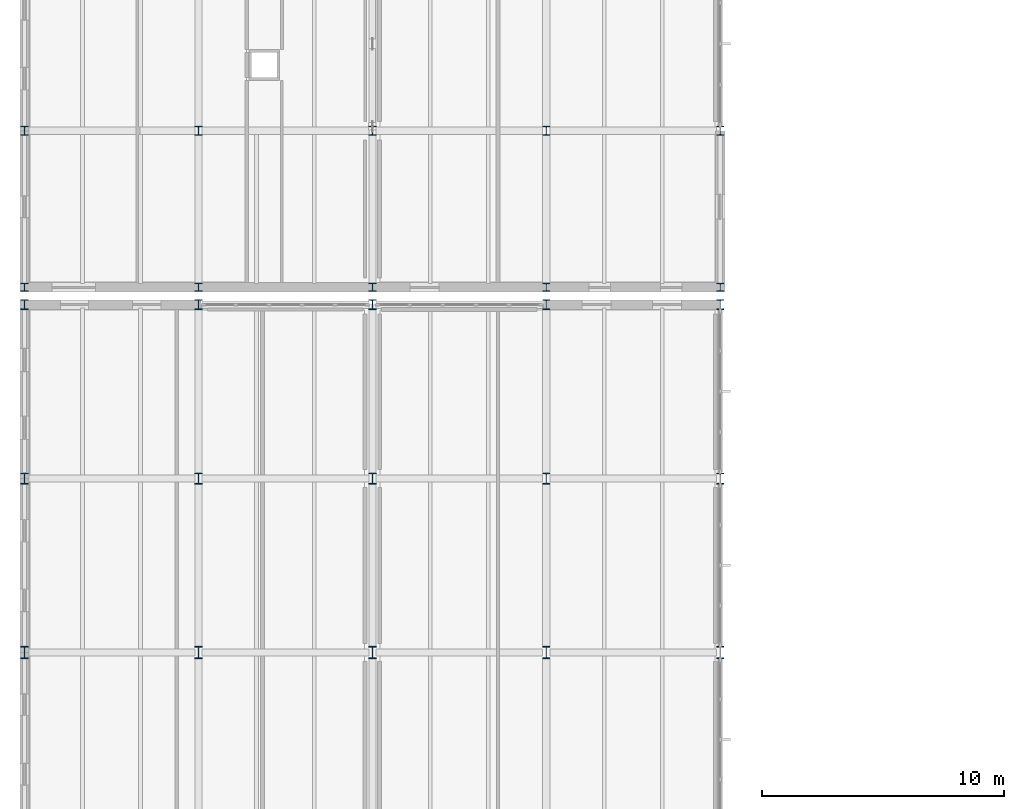
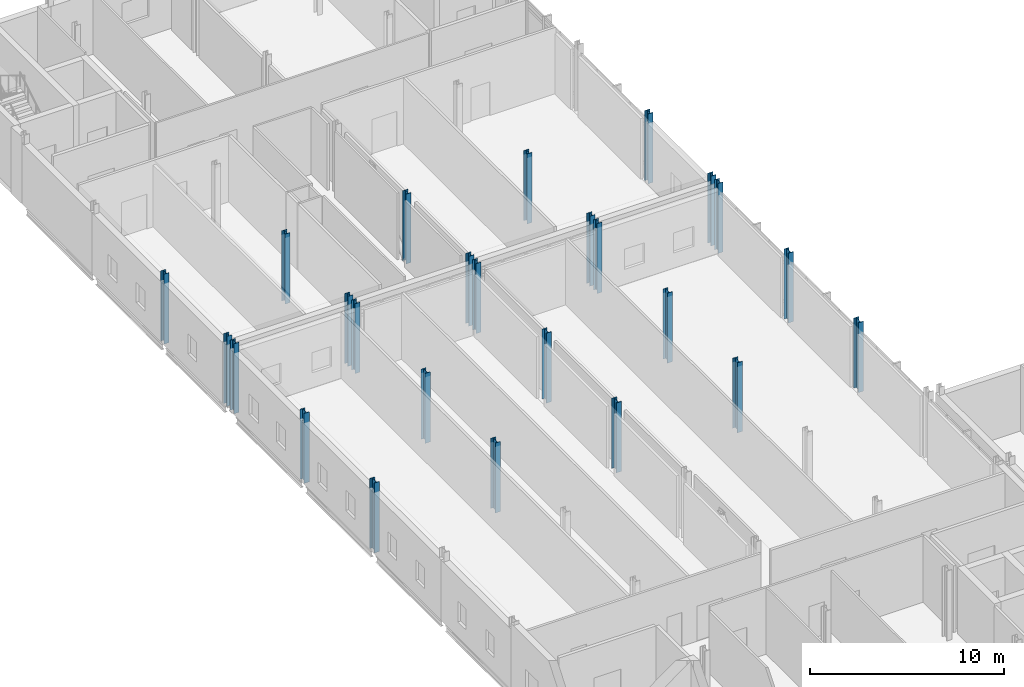
# One storey, part 3 of 76: 25 columns.
"""IFC4 building model written with IfcOpenShell, lengths in metres."""

import ifcopenshell
import ifcopenshell.guid

model = None  # the IFC model being written
_history = None  # IfcOwnerHistory: only IFC2X3 demands one
_inside = {}  # id of a spatial element -> (the spatial element, [elements in it])
_under = {}  # id of a project, library or spatial element -> (it, [spatial elements below it])
_declared = {}  # id of a project -> (the project, [libraries it declares])
_typed = {}  # id of a type object -> (the type object, [elements of that type])
_made_of = {}  # id of a material, layer set ... -> (it, [elements and type objects made of it])


def new_model(schema):
    """Start an empty IFC model of exactly this schema.

    Asked for "IFC4X3", IfcOpenShell would pick the latest addendum, in which some entities
    have other attributes; the version numbers below select the first issue.
    IFC2X3 requires an IfcOwnerHistory on every rooted entity: one is made here for all.
    """
    global model, _history
    if schema == "IFC4X3":
        model = ifcopenshell.file(schema_version=(4, 3, 0, 0))
    else:
        model = ifcopenshell.file(schema=schema)
    _inside.clear()
    _under.clear()
    _declared.clear()
    _typed.clear()
    _made_of.clear()
    _history = None
    if model.schema == "IFC2X3":
        org = make("IfcOrganization", Name="unknown")
        user = make(
            "IfcPersonAndOrganization",
            ThePerson=make("IfcPerson", FamilyName="unknown"),
            TheOrganization=org,
        )
        app = make(
            "IfcApplication",
            ApplicationDeveloper=org,
            Version="unknown",
            ApplicationFullName="unknown",
            ApplicationIdentifier="unknown",
        )
        _history = make(
            "IfcOwnerHistory",
            OwningUser=user,
            OwningApplication=app,
            ChangeAction="ADDED",
            CreationDate=0,
        )
    return model


def make(cls, **values):
    """One entity of the class cls with the attributes given. An attribute that is None is left unset."""
    return model.create_entity(
        cls, **{name: value for name, value in values.items() if value is not None}
    )


def rooted(cls, **values):
    """An entity with a GlobalId (a new one), such as an element, a storey or a relation."""
    return make(cls, GlobalId=ifcopenshell.guid.new(), OwnerHistory=_history, **values)


def si_unit(unit_type, name, prefix=None):
    """IfcSIUnit, for example si_unit("LENGTHUNIT", "METRE", prefix="MILLI")."""
    return make("IfcSIUnit", UnitType=unit_type, Prefix=prefix, Name=name)


def assignment(units):
    """IfcUnitAssignment: the units of a project."""
    return None if units is None else make("IfcUnitAssignment", Units=units)


def point(xyz):
    """IfcCartesianPoint."""
    return None if xyz is None else make("IfcCartesianPoint", Coordinates=xyz)


def direction(xyz):
    """IfcDirection."""
    return None if xyz is None else make("IfcDirection", DirectionRatios=xyz)


def frame(location, z_axis=None, x_axis=None):
    """IfcAxis2Placement3D, a coordinate frame: its origin and axes. An axis left out is left unset."""
    return make(
        "IfcAxis2Placement3D",
        Location=point(location),
        Axis=direction(z_axis),
        RefDirection=direction(x_axis),
    )


def frame_2d(location, x_axis=None):
    """IfcAxis2Placement2D, a coordinate frame in the plane: its origin and x axis."""
    return make(
        "IfcAxis2Placement2D", Location=point(location), RefDirection=direction(x_axis)
    )


def origin():
    """The frame at (0, 0, 0) with its axes left unset."""
    return frame((0.0, 0.0, 0.0))


def origin_2d():
    """The frame at (0, 0) in the plane with its x axis left unset."""
    return frame_2d((0.0, 0.0))


def place(relative_to, where):
    """IfcLocalPlacement: puts the frame where relative to a parent placement (None: the world)."""
    return make(
        "IfcLocalPlacement", PlacementRelTo=relative_to, RelativePlacement=where
    )


def context(
    kind, dimensions, precision=None, world=None, true_north=None, identifier=None
):
    """IfcGeometricRepresentationContext, for example the 3D "Model" context."""
    return make(
        "IfcGeometricRepresentationContext",
        ContextIdentifier=identifier,
        ContextType=kind,
        CoordinateSpaceDimension=dimensions,
        Precision=precision,
        WorldCoordinateSystem=world,
        TrueNorth=true_north,
    )


def subcontext(parent, identifier, kind, view, scale=None):
    """IfcGeometricRepresentationSubContext, for example "Body" below "Model"."""
    return make(
        "IfcGeometricRepresentationSubContext",
        ContextIdentifier=identifier,
        ContextType=kind,
        ParentContext=parent,
        TargetScale=scale,
        TargetView=view,
    )


def project(units=None, contexts=None):
    """IfcProject with its units and contexts."""
    return rooted(
        "IfcProject",
        Name="project",
        RepresentationContexts=contexts,
        UnitsInContext=assignment(units),
    )


def spatial(cls, under=None, at=None, **own):
    """A site, building, storey or space (cls), placed at a placement, below another one or the project."""
    s = rooted(cls, ObjectPlacement=at, **own)
    if under is not None:
        _under.setdefault(under.id(), (under, []))[1].append(s)
    return s


def profile(cls, at=None, kind="AREA", **sizes):
    """A parametric profile (cls). Its sizes go by their IFC names, for example OverallWidth=200.0."""
    return make(cls, ProfileType=kind, Position=at, **sizes)


def i_section(**sizes):
    """IfcIShapeProfileDef."""
    return profile("IfcIShapeProfileDef", **sizes)


def extrude(swept, where, along, depth):
    """IfcExtrudedAreaSolid: the profile swept, set in the frame where, extruded along a direction by depth."""
    return make(
        "IfcExtrudedAreaSolid",
        SweptArea=swept,
        Position=where,
        ExtrudedDirection=direction(along),
        Depth=depth,
    )


def shape(context_of_items, identifier, shape_type, items):
    """IfcShapeRepresentation: the items that make up one representation, for example the "Body"."""
    return make(
        "IfcShapeRepresentation",
        ContextOfItems=context_of_items,
        RepresentationIdentifier=identifier,
        RepresentationType=shape_type,
        Items=items,
    )


def material(Name=None, Category=None):
    """IfcMaterial."""
    return make("IfcMaterial", Name=Name, Category=Category)


def material_profile(
    of_material, cross_section, Name=None, Category=None, Priority=None
):
    """IfcMaterialProfile: a cross section and its material."""
    return make(
        "IfcMaterialProfile",
        Name=Name,
        Material=of_material,
        Profile=cross_section,
        Priority=Priority,
        Category=Category,
    )


def profile_set(profiles, Name=None, composite=None):
    """IfcMaterialProfileSet."""
    return make(
        "IfcMaterialProfileSet",
        Name=Name,
        MaterialProfiles=profiles,
        CompositeProfile=composite,
    )


def made_of(thing, what):
    """Note that an element or type object is made of a material, layer set ...; save() writes the relation."""
    if what is not None:
        _made_of.setdefault(what.id(), (what, []))[1].append(thing)
    return thing


def type_object(cls, material=None, **own):
    """A type object (cls), such as IfcWallType, which elements share."""
    return made_of(rooted(cls, **own), material)


def element(
    cls,
    number,
    at=None,
    inside=None,
    cuts=None,
    type_object=None,
    material=None,
    context=None,
    identifier="Body",
    shape_type=None,
    held_by="IfcProductDefinitionShape",
    body=None,
    shapes=None,
    **own,
):
    """One element of the class cls, such as IfcWall. Its Tag is "e" and its number.

    at: its placement. inside: the storey or other place that contains it. cuts: it is an
    opening in that element (IfcRelVoidsElement). A single representation is given by context,
    identifier, shape_type and body (its items); several are given by shapes. held_by: the class
    of the entity that holds the representations. save() writes the other relations.
    """
    e = rooted(cls, Tag="e%d" % number, ObjectPlacement=at, **own)
    if body is not None:
        shapes = [shape(context, identifier, shape_type, body)]
    if shapes is not None:
        e.Representation = make(held_by, Representations=shapes)
    if inside is not None:
        _inside.setdefault(inside.id(), (inside, []))[1].append(e)
    if cuts is not None:
        rooted(
            "IfcRelVoidsElement", RelatingBuildingElement=cuts, RelatedOpeningElement=e
        )
    if type_object is not None:
        _typed.setdefault(type_object.id(), (type_object, []))[1].append(e)
    return made_of(e, material)


def aggregate(whole, parts):
    """IfcRelAggregates: a whole, such as a stair, and the parts it consists of."""
    return rooted("IfcRelAggregates", RelatingObject=whole, RelatedObjects=parts)


def save(model, path):
    """Write the relations noted so far, then the file.

    IfcRelAggregates (storeys below a building ...), IfcRelContainedInSpatialStructure (elements
    in a storey), IfcRelDefinesByType, IfcRelAssociatesMaterial and IfcRelDeclares: one each for
    every whole, place, type object, material and project.
    """
    for whole, parts in _under.values():
        aggregate(whole, parts)
    for where, things in _inside.values():
        rooted(
            "IfcRelContainedInSpatialStructure",
            RelatedElements=things,
            RelatingStructure=where,
        )
    for kind, things in _typed.values():
        rooted("IfcRelDefinesByType", RelatedObjects=things, RelatingType=kind)
    for what, things in _made_of.values():
        rooted("IfcRelAssociatesMaterial", RelatedObjects=things, RelatingMaterial=what)
    for by, libraries in _declared.values():
        rooted("IfcRelDeclares", RelatingContext=by, RelatedDefinitions=libraries)
    model.write(path)


model = new_model("IFC4")

# Units and contexts
model_context = context("Model", 3, precision=1e-05, world=origin(), true_north=direction((0.0, 1.0)))
body_context = subcontext(model_context, "Body", "Model", "MODEL_VIEW")
ifc_project = project(units=[si_unit("LENGTHUNIT", "METRE"), si_unit("AREAUNIT", "SQUARE_METRE"), si_unit("VOLUMEUNIT", "CUBIC_METRE"), si_unit("PLANEANGLEUNIT", "RADIAN"), si_unit("MASSUNIT", "GRAM", prefix="KILO")], contexts=[model_context])

# Site, building, storey
site_placement = place(None, origin())
site = spatial("IfcSite", under=ifc_project, at=site_placement, CompositionType="ELEMENT")
building_placement = place(site_placement, origin())
building = spatial("IfcBuilding", under=site, at=building_placement, Name="Zarrinpeak Specialist Clinic", CompositionType="ELEMENT")
storey_placement = place(building_placement, frame((0.0, 0.0, 5.199951171875)))
storey = spatial("IfcBuildingStorey", under=building, at=storey_placement, Name="L01", CompositionType="ELEMENT", Elevation=5.199951171875)

# Columns
ifc_material = material(Name="Steel S355", Category="steel")
ifc_material_profile_1 = material_profile(ifc_material, i_section(OverallWidth=0.300048828125, OverallDepth=0.320068359375, WebThickness=0.011474609375, FlangeThickness=0.0205078125, FilletRadius=0.027099609375, at=origin_2d()), Name="HEB 320")
ifc_profile_set_1 = profile_set([ifc_material_profile_1], Name="Steel S355")
column_type_1 = type_object("IfcColumnType", Name="COL-HEB320", PredefinedType="COLUMN", material=ifc_profile_set_1)
for number, where, z_axis, x_axis, name in (
    (1, (0.0, 51.1201171875, 0.0), (0.0, 0.0, 1.0), (1.0, 0.0, 0.0), "L01 Structural Column COL-L01-007"),
    (2, (7.199951171875, 51.1201171875, 0.0), (0.0, 0.0, 1.0), (1.0, 0.0, 0.0), "L01 Structural Column COL-L01-020"),
    (3, (14.39990234375, 51.1201171875, 0.0), (0.0, 0.0, 1.0), (1.0, 0.0, 0.0), "L01 Structural Column COL-L01-034"),
    (4, (21.60009765625, 51.1201171875, 0.0), (0.0, 0.0, 1.0), (1.0, 0.0, 0.0), "L01 Structural Column COL-L01-048"),
    (5, (28.800048828125, 51.1201171875, 0.0), (0.0, 0.0, 1.0), (1.0, 0.0, 0.0), "L01 Structural Column COL-L01-060"),
):
    element("IfcColumn", number, at=place(storey_placement, frame(where, z_axis=z_axis, x_axis=x_axis)), inside=storey, type_object=column_type_1, Name=name, PredefinedType="COLUMN", context=body_context, shape_type="SweptSolid", body=[
        extrude(i_section(OverallWidth=0.300048828125, OverallDepth=0.320068359375, WebThickness=0.011474609375, FlangeThickness=0.0205078125, FilletRadius=0.027099609375, at=origin_2d()), origin(), (0.0, 0.0, 1.0), 4.400146484375),
    ])
ifc_material_profile_2 = material_profile(ifc_material, i_section(OverallWidth=0.300048828125, OverallDepth=0.360107421875, WebThickness=0.012451171875, FlangeThickness=0.0224609375, FilletRadius=0.027099609375, at=origin_2d()), Name="HEB 360")
ifc_profile_set_2 = profile_set([ifc_material_profile_2], Name="Steel S355")
column_type_2 = type_object("IfcColumnType", Name="COL-HEB360", PredefinedType="COLUMN", material=ifc_profile_set_2)
for number, where, z_axis, x_axis, name in (
    (6, (0.0, 57.60009765625, 0.0), (0.0, 0.0, 1.0), (1.0, 0.0, 0.0), "L01 Structural Column COL-L01-008"),
    (7, (7.199951171875, 57.60009765625, 0.0), (0.0, 0.0, 1.0), (1.0, 0.0, 0.0), "L01 Structural Column COL-L01-021"),
    (8, (14.39990234375, 57.60009765625, 0.0), (0.0, 0.0, 1.0), (1.0, 0.0, 0.0), "L01 Structural Column COL-L01-035"),
    (9, (21.60009765625, 57.60009765625, 0.0), (0.0, 0.0, 1.0), (1.0, 0.0, 0.0), "L01 Structural Column COL-L01-049"),
    (10, (28.800048828125, 57.60009765625, 0.0), (0.0, 0.0, 1.0), (1.0, 0.0, 0.0), "L01 Structural Column COL-L01-061"),
):
    element("IfcColumn", number, at=place(storey_placement, frame(where, z_axis=z_axis, x_axis=x_axis)), inside=storey, type_object=column_type_2, Name=name, PredefinedType="COLUMN", context=body_context, shape_type="SweptSolid", body=[
        extrude(i_section(OverallWidth=0.300048828125, OverallDepth=0.360107421875, WebThickness=0.012451171875, FlangeThickness=0.0224609375, FilletRadius=0.027099609375, at=origin_2d()), origin(), (0.0, 0.0, 1.0), 4.400146484375),
    ])
ifc_material_profile_3 = material_profile(ifc_material, i_section(OverallWidth=0.300048828125, OverallDepth=0.39990234375, WebThickness=0.013427734375, FlangeThickness=0.02392578125, FilletRadius=0.027099609375, at=origin_2d()), Name="HEB 400")
ifc_profile_set_3 = profile_set([ifc_material_profile_3], Name="Steel S355")
column_type_3 = type_object("IfcColumnType", Name="COL-HEB400", PredefinedType="COLUMN", material=ifc_profile_set_3)
for number, where, z_axis, x_axis, name in (
    (11, (0.0, 50.39990234375, 0.0), (0.0, 0.0, 1.0), (1.0, 0.0, 0.0), "L01 Structural Column COL-L01-006"),
    (12, (7.199951171875, 50.39990234375, 0.0), (0.0, 0.0, 1.0), (1.0, 0.0, 0.0), "L01 Structural Column COL-L01-019"),
    (13, (14.39990234375, 50.39990234375, 0.0), (0.0, 0.0, 1.0), (1.0, 0.0, 0.0), "L01 Structural Column COL-L01-033"),
    (14, (21.60009765625, 50.39990234375, 0.0), (0.0, 0.0, 1.0), (1.0, 0.0, 0.0), "L01 Structural Column COL-L01-047"),
    (15, (28.800048828125, 50.39990234375, 0.0), (0.0, 0.0, 1.0), (1.0, 0.0, 0.0), "L01 Structural Column COL-L01-059"),
):
    element("IfcColumn", number, at=place(storey_placement, frame(where, z_axis=z_axis, x_axis=x_axis)), inside=storey, type_object=column_type_3, Name=name, PredefinedType="COLUMN", context=body_context, shape_type="SweptSolid", body=[
        extrude(i_section(OverallWidth=0.300048828125, OverallDepth=0.39990234375, WebThickness=0.013427734375, FlangeThickness=0.02392578125, FilletRadius=0.027099609375, at=origin_2d()), origin(), (0.0, 0.0, 1.0), 4.400146484375),
    ])
ifc_material_profile_4 = material_profile(ifc_material, i_section(OverallWidth=0.300048828125, OverallDepth=0.449951171875, WebThickness=0.013916015625, FlangeThickness=0.02587890625, FilletRadius=0.027099609375, at=origin_2d()), Name="HEB 450")
ifc_profile_set_4 = profile_set([ifc_material_profile_4], Name="Steel S355")
column_type_4 = type_object("IfcColumnType", Name="COL-HEB450", PredefinedType="COLUMN", material=ifc_profile_set_4)
for number, where, z_axis, x_axis, name in (
    (16, (0.0, 43.199951171875, 0.0), (0.0, 0.0, 1.0), (1.0, 0.0, 0.0), "L01 Structural Column COL-L01-005"),
    (17, (7.199951171875, 43.199951171875, 0.0), (0.0, 0.0, 1.0), (1.0, 0.0, 0.0), "L01 Structural Column COL-L01-018"),
    (18, (14.39990234375, 43.199951171875, 0.0), (0.0, 0.0, 1.0), (1.0, 0.0, 0.0), "L01 Structural Column COL-L01-032"),
    (19, (21.60009765625, 43.199951171875, 0.0), (0.0, 0.0, 1.0), (1.0, 0.0, 0.0), "L01 Structural Column COL-L01-046"),
    (20, (28.800048828125, 43.199951171875, 0.0), (0.0, 0.0, 1.0), (1.0, 0.0, 0.0), "L01 Structural Column COL-L01-058"),
):
    element("IfcColumn", number, at=place(storey_placement, frame(where, z_axis=z_axis, x_axis=x_axis)), inside=storey, type_object=column_type_4, Name=name, PredefinedType="COLUMN", context=body_context, shape_type="SweptSolid", body=[
        extrude(i_section(OverallWidth=0.300048828125, OverallDepth=0.449951171875, WebThickness=0.013916015625, FlangeThickness=0.02587890625, FilletRadius=0.027099609375, at=origin_2d()), origin(), (0.0, 0.0, 1.0), 4.400146484375),
    ])
ifc_material_profile_5 = material_profile(ifc_material, i_section(OverallWidth=0.300048828125, OverallDepth=0.5, WebThickness=0.014404296875, FlangeThickness=0.028076171875, FilletRadius=0.027099609375, at=origin_2d()), Name="HEB 500")
ifc_profile_set_5 = profile_set([ifc_material_profile_5], Name="Steel S355")
column_type_5 = type_object("IfcColumnType", Name="COL-HEB500", PredefinedType="COLUMN", material=ifc_profile_set_5)
for number, where, z_axis, x_axis, name in (
    (21, (0.0, 36.0, 0.0), (0.0, 0.0, 1.0), (1.0, 0.0, 0.0), "L01 Structural Column COL-L01-004"),
    (22, (7.199951171875, 36.0, 0.0), (0.0, 0.0, 1.0), (1.0, 0.0, 0.0), "L01 Structural Column COL-L01-017"),
    (23, (14.39990234375, 36.0, 0.0), (0.0, 0.0, 1.0), (1.0, 0.0, 0.0), "L01 Structural Column COL-L01-031"),
    (24, (21.60009765625, 36.0, 0.0), (0.0, 0.0, 1.0), (1.0, 0.0, 0.0), "L01 Structural Column COL-L01-045"),
    (25, (28.800048828125, 36.0, 0.0), (0.0, 0.0, 1.0), (1.0, 0.0, 0.0), "L01 Structural Column COL-L01-057"),
):
    element("IfcColumn", number, at=place(storey_placement, frame(where, z_axis=z_axis, x_axis=x_axis)), inside=storey, type_object=column_type_5, Name=name, PredefinedType="COLUMN", context=body_context, shape_type="SweptSolid", body=[
        extrude(i_section(OverallWidth=0.300048828125, OverallDepth=0.5, WebThickness=0.014404296875, FlangeThickness=0.028076171875, FilletRadius=0.027099609375, at=origin_2d()), origin(), (0.0, 0.0, 1.0), 4.400146484375),
    ])

save(model, "model.ifc")
